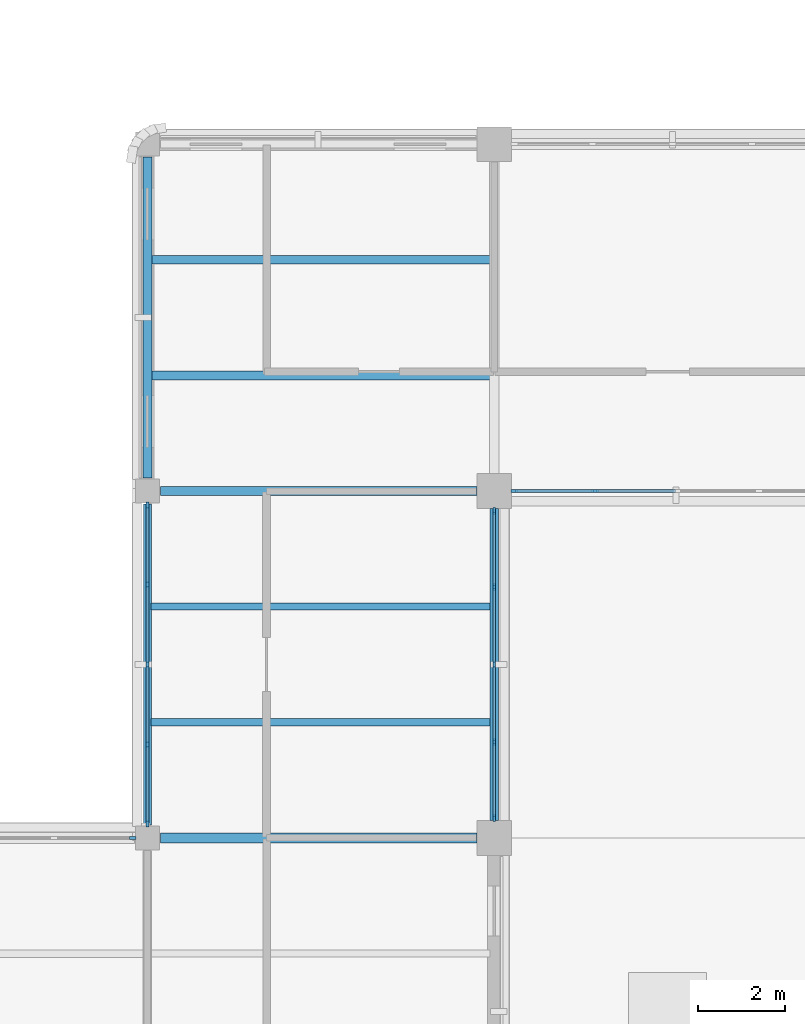
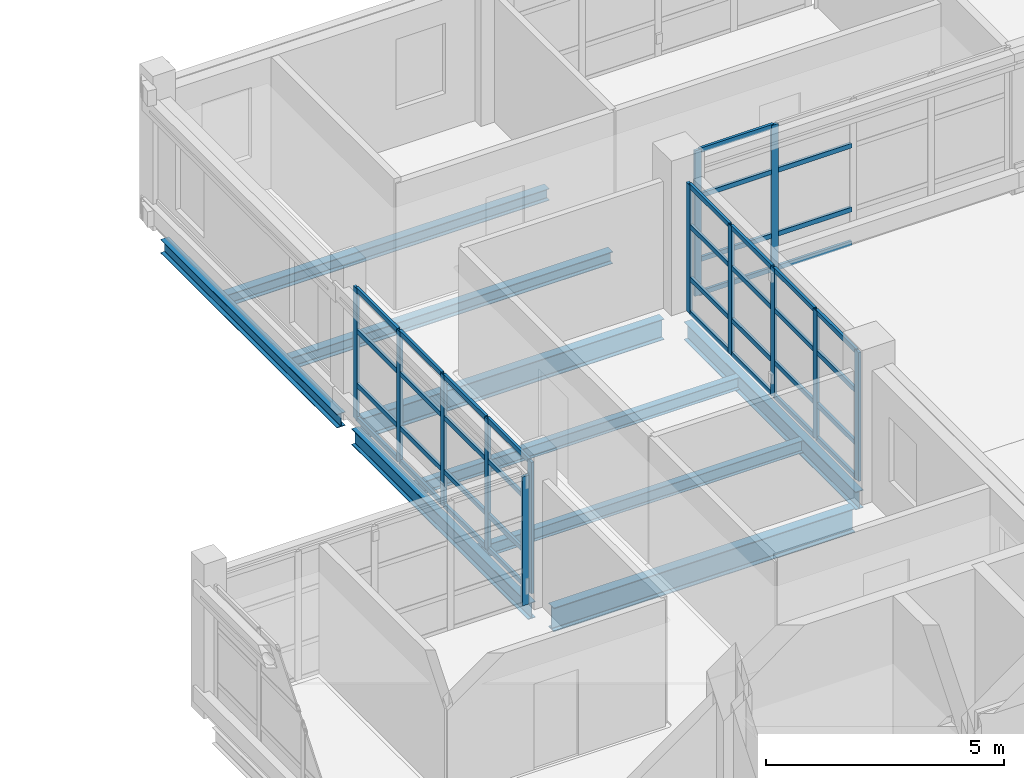
# One storey, part 34 of 107: 52 members, 9 beams, 4 elements without a shape of their own.
"""IFC4 building model written with IfcOpenShell, lengths in metres."""

from ifc_helpers import new_model, si_unit, derived_unit, direction, frame, origin, origin_2d, place, context, subcontext, project, spatial, rectangle, i_section, extrude, material, layer, layer_set, material_profile, profile_set, type_object, element, aggregate, save


model = new_model("IFC4")

# Units and contexts
model_context = context("Model", 3, precision=1e-05, world=origin(), true_north=direction((0.0, 1.0)))
body_context = subcontext(model_context, "Body", "Model", "MODEL_VIEW")
ifc_project = project(units=[si_unit("LENGTHUNIT", "METRE"), si_unit("AREAUNIT", "SQUARE_METRE"), si_unit("VOLUMEUNIT", "CUBIC_METRE"), si_unit("PLANEANGLEUNIT", "RADIAN"), si_unit("MASSUNIT", "GRAM", prefix="KILO"), derived_unit("THERMALTRANSMITTANCEUNIT", [(si_unit("MASSUNIT", "GRAM", prefix="KILO"), 1), (si_unit("TIMEUNIT", "SECOND"), -3), (si_unit("THERMODYNAMICTEMPERATUREUNIT", "KELVIN"), -1)])], contexts=[model_context])

# Site, building, storey
site_placement = place(None, origin())
site = spatial("IfcSite", under=ifc_project, at=site_placement, CompositionType="ELEMENT")
building_placement = place(site_placement, origin())
building = spatial("IfcBuilding", under=site, at=building_placement, Name="Veyamyaing Civic Hall", CompositionType="ELEMENT")
storey_placement = place(building_placement, frame((0.0, 0.0, 13.860107421875)))
storey = spatial("IfcBuildingStorey", under=building, at=storey_placement, Name="L03", CompositionType="ELEMENT", Elevation=13.860107421875)

# Beams
ifc_material_1 = material(Name="Steel ASTM A992", Category="steel")
ifc_material_profile_1 = material_profile(ifc_material_1, i_section(OverallWidth=0.22802734375, OverallDepth=0.60791015625, WebThickness=0.01123046875, FlangeThickness=0.017333984375, FilletRadius=0.012939453125, at=origin_2d()), Name="W610X113")
ifc_profile_set_1 = profile_set([ifc_material_profile_1], Name="Steel ASTM A992")
beam_type_1 = type_object("IfcBeamType", Name="B-06", PredefinedType="BEAM", material=ifc_profile_set_1)
beam_1_placement = place(storey_placement, frame((64.300048828125, 64.0, -0.55908203125), z_axis=(1.0, 0.0, 0.0), x_axis=(0.0, 1.0, 0.0)))
element("IfcBeam", 1, at=beam_1_placement, inside=storey, type_object=beam_type_1, Name="Girder B-06 L03 Grid J 9-10", PredefinedType="BEAM", context=body_context, shape_type="SweptSolid", body=[
    extrude(i_section(OverallWidth=0.22802734375, OverallDepth=0.60791015625, WebThickness=0.01123046875, FlangeThickness=0.017333984375, FilletRadius=0.012939453125, at=origin_2d()), origin(), (0.0, 0.0, 1.0), 7.300048828125),
])
ifc_material_profile_2 = material_profile(ifc_material_1, i_section(OverallWidth=0.208984375, OverallDepth=0.532958984375, WebThickness=0.01025390625, FlangeThickness=0.015625, FilletRadius=0.011962890625, at=origin_2d()), Name="W530X92")
ifc_profile_set_2 = profile_set([ifc_material_profile_2], Name="Steel ASTM A992")
beam_type_2 = type_object("IfcBeamType", Name="B-07", PredefinedType="BEAM", material=ifc_profile_set_2)
beam_2_placement = place(storey_placement, frame((64.300048828125, 72.0, -0.521728515625), z_axis=(1.0, 0.0, 0.0), x_axis=(0.0, 1.0, 0.0)))
element("IfcBeam", 2, at=beam_2_placement, inside=storey, type_object=beam_type_2, Name="Girder B-07 L03 Grid K 9-10", PredefinedType="BEAM", context=body_context, shape_type="SweptSolid", body=[
    extrude(i_section(OverallWidth=0.208984375, OverallDepth=0.532958984375, WebThickness=0.01025390625, FlangeThickness=0.015625, FilletRadius=0.011962890625, at=origin_2d()), origin(), (0.0, 0.0, 1.0), 7.300048828125),
])
ifc_material_profile_3 = material_profile(ifc_material_1, i_section(OverallWidth=0.19189453125, OverallDepth=0.462890625, WebThickness=0.010498046875, FlangeThickness=0.017578125, FilletRadius=0.010009765625, at=origin_2d()), Name="W460X89")
ifc_profile_set_3 = profile_set([ifc_material_profile_3], Name="Steel ASTM A992")
beam_type_3 = type_object("IfcBeamType", Name="B-08", PredefinedType="BEAM", material=ifc_profile_set_3)
beam_3_placement = place(storey_placement, frame((72.0, 64.39990234375, -0.486572265625), z_axis=(0.0, 1.0, 0.0), x_axis=(-1.0, 0.0, 0.0)))
element("IfcBeam", 3, at=beam_3_placement, inside=storey, type_object=beam_type_3, Name="Girder B-08 L03 Grid 10 J-K", PredefinedType="BEAM", context=body_context, shape_type="SweptSolid", body=[
    extrude(i_section(OverallWidth=0.19189453125, OverallDepth=0.462890625, WebThickness=0.010498046875, FlangeThickness=0.017578125, FilletRadius=0.010009765625, at=origin_2d()), origin(), (0.0, 0.0, 1.0), 7.2001953125),
])
ifc_material_profile_4 = material_profile(ifc_material_1, i_section(OverallWidth=0.179931640625, OverallDepth=0.4130859375, WebThickness=0.009765625, FlangeThickness=0.01611328125, FilletRadius=0.010009765625, at=origin_2d()), Name="W410X74")
ifc_profile_set_4 = profile_set([ifc_material_profile_4], Name="Steel ASTM A992")
beam_type_4 = type_object("IfcBeamType", Name="B-10", PredefinedType="SPANDREL", material=ifc_profile_set_4)
beam_4_placement = place(storey_placement, frame((64.0, 64.300048828125, -0.461669921875), z_axis=(0.0, 1.0, 0.0), x_axis=(-1.0, 0.0, 0.0)))
element("IfcBeam", 4, at=beam_4_placement, inside=storey, type_object=beam_type_4, Name="Girder B-10 L03 Grid 9 J-K", PredefinedType="SPANDREL", context=body_context, shape_type="SweptSolid", body=[
    extrude(i_section(OverallWidth=0.179931640625, OverallDepth=0.4130859375, WebThickness=0.009765625, FlangeThickness=0.01611328125, FilletRadius=0.010009765625, at=origin_2d()), origin(), (0.0, 0.0, 1.0), 7.39990234375),
])
ifc_material_profile_5 = material_profile(ifc_material_1, i_section(OverallWidth=0.2041015625, OverallDepth=0.35009765625, WebThickness=0.0078125, FlangeThickness=0.01513671875, FilletRadius=0.010009765625, at=origin_2d()), Name="W360X72")
ifc_profile_set_5 = profile_set([ifc_material_profile_5], Name="Steel ASTM A992")
beam_type_5 = type_object("IfcBeamType", Name="B-11", PredefinedType="SPANDREL", material=ifc_profile_set_5)
beam_5_placement = place(storey_placement, frame((64.0, 72.300048828125, -0.43017578125), z_axis=(0.0, 1.0, 0.0), x_axis=(-1.0, 0.0, 0.0)))
element("IfcBeam", 5, at=beam_5_placement, inside=storey, type_object=beam_type_5, Name="Girder B-11 L03 Grid 9 K-L", PredefinedType="SPANDREL", context=body_context, shape_type="SweptSolid", body=[
    extrude(i_section(OverallWidth=0.2041015625, OverallDepth=0.35009765625, WebThickness=0.0078125, FlangeThickness=0.01513671875, FilletRadius=0.010009765625, at=origin_2d()), origin(), (0.0, 0.0, 1.0), 7.39990234375),
])

# Curtain wall, member
ifc_material_2 = material(Name="Anodised aluminium 6063-T6", Category="aluminium")
ifc_layer = layer(ifc_material_2, 0.159912109375, Name="Anodised aluminium 6063-T6")
ifc_layer_set = layer_set([ifc_layer], Name="Anodised aluminium 6063-T6")
curtain_wall_type = type_object("IfcCurtainWallType", Name="CW-07", PredefinedType="NOTDEFINED", material=ifc_layer_set)
curtain_wall_1_placement = place(storey_placement, origin())
curtain_wall_1 = element("IfcCurtainWall", 6, at=curtain_wall_1_placement, inside=storey, type_object=curtain_wall_type, Name="Unitized curtain wall CW-07 L03 N 8.8", PredefinedType="NOTDEFINED")
ifc_material_profile_6 = material_profile(ifc_material_2, rectangle(XDim=0.06494140625, YDim=0.159912109375, at=origin_2d()), Name="ALU-MUL-65X160")
ifc_profile_set_6 = profile_set([ifc_material_profile_6], Name="Anodised aluminium 6063-T6")
member_type_1 = type_object("IfcMemberType", Name="CWM-01", PredefinedType="MULLION", material=ifc_profile_set_6)
member_1_placement = place(storey_placement, frame((63.66259765625, 64.0, 0.0), z_axis=(0.0, 0.0, 1.0), x_axis=(0.0, 1.0, 0.0)))
member_1 = element("IfcMember", 7, at=member_1_placement, type_object=member_type_1, Name="CW-07 mullion 5", PredefinedType="MULLION", context=body_context, shape_type="SweptSolid", body=[
    extrude(rectangle(XDim=0.06494140625, YDim=0.159912109375, at=origin_2d()), origin(), (0.0, 0.0, 1.0), 3.303955078125),
])
aggregate(curtain_wall_1, [member_1])

# Curtain wall, members
curtain_wall_2_placement = place(storey_placement, origin())
curtain_wall_2 = element("IfcCurtainWall", 8, at=curtain_wall_2_placement, inside=storey, type_object=curtain_wall_type, Name="Unitized curtain wall CW-07 L03 W 9.9", PredefinedType="NOTDEFINED")
member_2_placement = place(storey_placement, frame((64.0, 64.33740234375, 0.0), z_axis=(0.0, 0.0, 1.0), x_axis=(-1.0, 0.0, 0.0)))
member_2 = element("IfcMember", 9, at=member_2_placement, type_object=member_type_1, Name="CW-07 mullion 1", PredefinedType="MULLION", context=body_context, shape_type="SweptSolid", body=[
    extrude(rectangle(XDim=0.06494140625, YDim=0.159912109375, at=origin_2d()), origin(), (0.0, 0.0, 1.0), 3.366943359375),
])
member_3_placement = place(storey_placement, frame((64.0, 66.152587890625, 0.0), z_axis=(0.0, 0.0, 1.0), x_axis=(-1.0, 0.0, 0.0)))
member_3 = element("IfcMember", 10, at=member_3_placement, type_object=member_type_1, Name="CW-07 mullion 2", PredefinedType="MULLION", context=body_context, shape_type="SweptSolid", body=[
    extrude(rectangle(XDim=0.06494140625, YDim=0.159912109375, at=origin_2d()), origin(), (0.0, 0.0, 1.0), 3.366943359375),
])
member_4_placement = place(storey_placement, frame((64.0, 68.0, 0.0), z_axis=(0.0, 0.0, 1.0), x_axis=(-1.0, 0.0, 0.0)))
member_4 = element("IfcMember", 11, at=member_4_placement, type_object=member_type_1, Name="CW-07 mullion 3", PredefinedType="MULLION", context=body_context, shape_type="SweptSolid", body=[
    extrude(rectangle(XDim=0.06494140625, YDim=0.159912109375, at=origin_2d()), origin(), (0.0, 0.0, 1.0), 3.366943359375),
])
member_5_placement = place(storey_placement, frame((64.0, 69.847412109375, 0.0), z_axis=(0.0, 0.0, 1.0), x_axis=(-1.0, 0.0, 0.0)))
member_5 = element("IfcMember", 12, at=member_5_placement, type_object=member_type_1, Name="CW-07 mullion 4", PredefinedType="MULLION", context=body_context, shape_type="SweptSolid", body=[
    extrude(rectangle(XDim=0.06494140625, YDim=0.159912109375, at=origin_2d()), origin(), (0.0, 0.0, 1.0), 3.366943359375),
])
member_6_placement = place(storey_placement, frame((64.0, 71.66259765625, 0.0), z_axis=(0.0, 0.0, 1.0), x_axis=(-1.0, 0.0, 0.0)))
member_6 = element("IfcMember", 13, at=member_6_placement, type_object=member_type_1, Name="CW-07 mullion 5", PredefinedType="MULLION", context=body_context, shape_type="SweptSolid", body=[
    extrude(rectangle(XDim=0.06494140625, YDim=0.159912109375, at=origin_2d()), origin(), (0.0, 0.0, 1.0), 3.366943359375),
])

curtain_wall_3_placement = place(storey_placement, origin())
curtain_wall_3 = element("IfcCurtainWall", 14, at=curtain_wall_3_placement, inside=storey, type_object=curtain_wall_type, Name="Unitized curtain wall CW-07 L03 E 9.9", PredefinedType="NOTDEFINED")
member_7_placement = place(storey_placement, frame((72.0, 64.46240234375, 0.0), z_axis=(0.0, 0.0, 1.0), x_axis=(-1.0, 0.0, 0.0)))
member_7 = element("IfcMember", 15, at=member_7_placement, type_object=member_type_1, Name="CW-07 mullion 1", PredefinedType="MULLION", context=body_context, shape_type="SweptSolid", body=[
    extrude(rectangle(XDim=0.06494140625, YDim=0.159912109375, at=origin_2d()), origin(), (0.0, 0.0, 1.0), 3.2998046875),
])
member_8_placement = place(storey_placement, frame((72.0, 66.215087890625, 0.0), z_axis=(0.0, 0.0, 1.0), x_axis=(-1.0, 0.0, 0.0)))
member_8 = element("IfcMember", 16, at=member_8_placement, type_object=member_type_1, Name="CW-07 mullion 2", PredefinedType="MULLION", context=body_context, shape_type="SweptSolid", body=[
    extrude(rectangle(XDim=0.06494140625, YDim=0.159912109375, at=origin_2d()), origin(), (0.0, 0.0, 1.0), 3.2998046875),
])
member_9_placement = place(storey_placement, frame((72.0, 68.0, 0.0), z_axis=(0.0, 0.0, 1.0), x_axis=(-1.0, 0.0, 0.0)))
member_9 = element("IfcMember", 17, at=member_9_placement, type_object=member_type_1, Name="CW-07 mullion 3", PredefinedType="MULLION", context=body_context, shape_type="SweptSolid", body=[
    extrude(rectangle(XDim=0.06494140625, YDim=0.159912109375, at=origin_2d()), origin(), (0.0, 0.0, 1.0), 3.2998046875),
])
member_10_placement = place(storey_placement, frame((72.0, 69.784912109375, 0.0), z_axis=(0.0, 0.0, 1.0), x_axis=(-1.0, 0.0, 0.0)))
member_10 = element("IfcMember", 18, at=member_10_placement, type_object=member_type_1, Name="CW-07 mullion 4", PredefinedType="MULLION", context=body_context, shape_type="SweptSolid", body=[
    extrude(rectangle(XDim=0.06494140625, YDim=0.159912109375, at=origin_2d()), origin(), (0.0, 0.0, 1.0), 3.2998046875),
])
member_11_placement = place(storey_placement, frame((72.0, 71.53759765625, 0.0), z_axis=(0.0, 0.0, 1.0), x_axis=(-1.0, 0.0, 0.0)))
member_11 = element("IfcMember", 19, at=member_11_placement, type_object=member_type_1, Name="CW-07 mullion 5", PredefinedType="MULLION", context=body_context, shape_type="SweptSolid", body=[
    extrude(rectangle(XDim=0.06494140625, YDim=0.159912109375, at=origin_2d()), origin(), (0.0, 0.0, 1.0), 3.2998046875),
])

curtain_wall_4_placement = place(storey_placement, origin())
curtain_wall_4 = element("IfcCurtainWall", 20, at=curtain_wall_4_placement, inside=storey, type_object=curtain_wall_type, Name="Unitized curtain wall CW-07 L03 S 10.10", PredefinedType="NOTDEFINED")
member_12_placement = place(storey_placement, frame((72.46240234375, 72.0, 0.0), z_axis=(0.0, 0.0, 1.0), x_axis=(0.0, 1.0, 0.0)))
member_12 = element("IfcMember", 21, at=member_12_placement, type_object=member_type_1, Name="CW-07 mullion 1", PredefinedType="MULLION", context=body_context, shape_type="SweptSolid", body=[
    extrude(rectangle(XDim=0.06494140625, YDim=0.159912109375, at=origin_2d()), origin(), (0.0, 0.0, 1.0), 3.724853515625),
])
member_13_placement = place(storey_placement, frame((74.322509765625, 72.0, 0.0), z_axis=(0.0, 0.0, 1.0), x_axis=(0.0, 1.0, 0.0)))
member_13 = element("IfcMember", 22, at=member_13_placement, type_object=member_type_1, Name="CW-07 mullion 2", PredefinedType="MULLION", context=body_context, shape_type="SweptSolid", body=[
    extrude(rectangle(XDim=0.06494140625, YDim=0.159912109375, at=origin_2d()), origin(), (0.0, 0.0, 1.0), 3.724853515625),
])

# Member
ifc_material_profile_7 = material_profile(ifc_material_2, rectangle(XDim=0.06494140625, YDim=0.1201171875, at=origin_2d()), Name="ALU-TRN-65X120")
ifc_profile_set_7 = profile_set([ifc_material_profile_7], Name="Anodised aluminium 6063-T6")
member_type_2 = type_object("IfcMemberType", Name="CWT-01", PredefinedType="USERDEFINED", material=ifc_profile_set_7)
member_14_placement = place(storey_placement, frame((64.0, 64.3701171875, 0.032470703125), z_axis=(0.0, 1.0, 0.0), x_axis=(-1.0, 0.0, 0.0)))
member_14 = element("IfcMember", 23, at=member_14_placement, type_object=member_type_2, Name="CW-07 transom 1.1", ObjectType="TRANSOM", PredefinedType="USERDEFINED", context=body_context, shape_type="SweptSolid", body=[
    extrude(rectangle(XDim=0.06494140625, YDim=0.1201171875, at=origin_2d()), origin(), (0.0, 0.0, 1.0), 1.75),
])

member_15_placement = place(storey_placement, frame((64.0, 64.3701171875, 0.89990234375), z_axis=(0.0, 1.0, 0.0), x_axis=(-1.0, 0.0, 0.0)))
member_15 = element("IfcMember", 24, at=member_15_placement, type_object=member_type_2, Name="CW-07 transom 1.2", ObjectType="TRANSOM", PredefinedType="USERDEFINED", context=body_context, shape_type="SweptSolid", body=[
    extrude(rectangle(XDim=0.06494140625, YDim=0.1201171875, at=origin_2d()), origin(), (0.0, 0.0, 1.0), 1.75),
])

member_16_placement = place(storey_placement, frame((64.0, 64.3701171875, 2.28955078125), z_axis=(0.0, 1.0, 0.0), x_axis=(-1.0, 0.0, 0.0)))
member_16 = element("IfcMember", 25, at=member_16_placement, type_object=member_type_2, Name="CW-07 transom 1.3", ObjectType="TRANSOM", PredefinedType="USERDEFINED", context=body_context, shape_type="SweptSolid", body=[
    extrude(rectangle(XDim=0.06494140625, YDim=0.1201171875, at=origin_2d()), origin(), (0.0, 0.0, 1.0), 1.75),
])

member_17_placement = place(storey_placement, frame((64.0, 64.3701171875, 3.33447265625), z_axis=(0.0, 1.0, 0.0), x_axis=(-1.0, 0.0, 0.0)))
member_17 = element("IfcMember", 26, at=member_17_placement, type_object=member_type_2, Name="CW-07 transom 1.4", ObjectType="TRANSOM", PredefinedType="USERDEFINED", context=body_context, shape_type="SweptSolid", body=[
    extrude(rectangle(XDim=0.06494140625, YDim=0.1201171875, at=origin_2d()), origin(), (0.0, 0.0, 1.0), 1.75),
])

member_18_placement = place(storey_placement, frame((64.0, 66.18505859375, 0.032470703125), z_axis=(0.0, 1.0, 0.0), x_axis=(-1.0, 0.0, 0.0)))
member_18 = element("IfcMember", 27, at=member_18_placement, type_object=member_type_2, Name="CW-07 transom 2.1", ObjectType="TRANSOM", PredefinedType="USERDEFINED", context=body_context, shape_type="SweptSolid", body=[
    extrude(rectangle(XDim=0.06494140625, YDim=0.1201171875, at=origin_2d()), origin(), (0.0, 0.0, 1.0), 1.782470703125),
])

member_19_placement = place(storey_placement, frame((64.0, 66.18505859375, 0.89990234375), z_axis=(0.0, 1.0, 0.0), x_axis=(-1.0, 0.0, 0.0)))
member_19 = element("IfcMember", 28, at=member_19_placement, type_object=member_type_2, Name="CW-07 transom 2.2", ObjectType="TRANSOM", PredefinedType="USERDEFINED", context=body_context, shape_type="SweptSolid", body=[
    extrude(rectangle(XDim=0.06494140625, YDim=0.1201171875, at=origin_2d()), origin(), (0.0, 0.0, 1.0), 1.782470703125),
])

member_20_placement = place(storey_placement, frame((64.0, 66.18505859375, 2.28955078125), z_axis=(0.0, 1.0, 0.0), x_axis=(-1.0, 0.0, 0.0)))
member_20 = element("IfcMember", 29, at=member_20_placement, type_object=member_type_2, Name="CW-07 transom 2.3", ObjectType="TRANSOM", PredefinedType="USERDEFINED", context=body_context, shape_type="SweptSolid", body=[
    extrude(rectangle(XDim=0.06494140625, YDim=0.1201171875, at=origin_2d()), origin(), (0.0, 0.0, 1.0), 1.782470703125),
])

member_21_placement = place(storey_placement, frame((64.0, 66.18505859375, 3.33447265625), z_axis=(0.0, 1.0, 0.0), x_axis=(-1.0, 0.0, 0.0)))
member_21 = element("IfcMember", 30, at=member_21_placement, type_object=member_type_2, Name="CW-07 transom 2.4", ObjectType="TRANSOM", PredefinedType="USERDEFINED", context=body_context, shape_type="SweptSolid", body=[
    extrude(rectangle(XDim=0.06494140625, YDim=0.1201171875, at=origin_2d()), origin(), (0.0, 0.0, 1.0), 1.782470703125),
])

member_22_placement = place(storey_placement, frame((64.0, 68.032470703125, 0.032470703125), z_axis=(0.0, 1.0, 0.0), x_axis=(-1.0, 0.0, 0.0)))
member_22 = element("IfcMember", 31, at=member_22_placement, type_object=member_type_2, Name="CW-07 transom 3.1", ObjectType="TRANSOM", PredefinedType="USERDEFINED", context=body_context, shape_type="SweptSolid", body=[
    extrude(rectangle(XDim=0.06494140625, YDim=0.1201171875, at=origin_2d()), origin(), (0.0, 0.0, 1.0), 1.782470703125),
])

member_23_placement = place(storey_placement, frame((64.0, 68.032470703125, 0.89990234375), z_axis=(0.0, 1.0, 0.0), x_axis=(-1.0, 0.0, 0.0)))
member_23 = element("IfcMember", 32, at=member_23_placement, type_object=member_type_2, Name="CW-07 transom 3.2", ObjectType="TRANSOM", PredefinedType="USERDEFINED", context=body_context, shape_type="SweptSolid", body=[
    extrude(rectangle(XDim=0.06494140625, YDim=0.1201171875, at=origin_2d()), origin(), (0.0, 0.0, 1.0), 1.782470703125),
])

member_24_placement = place(storey_placement, frame((64.0, 68.032470703125, 2.28955078125), z_axis=(0.0, 1.0, 0.0), x_axis=(-1.0, 0.0, 0.0)))
member_24 = element("IfcMember", 33, at=member_24_placement, type_object=member_type_2, Name="CW-07 transom 3.3", ObjectType="TRANSOM", PredefinedType="USERDEFINED", context=body_context, shape_type="SweptSolid", body=[
    extrude(rectangle(XDim=0.06494140625, YDim=0.1201171875, at=origin_2d()), origin(), (0.0, 0.0, 1.0), 1.782470703125),
])

member_25_placement = place(storey_placement, frame((64.0, 68.032470703125, 3.33447265625), z_axis=(0.0, 1.0, 0.0), x_axis=(-1.0, 0.0, 0.0)))
member_25 = element("IfcMember", 34, at=member_25_placement, type_object=member_type_2, Name="CW-07 transom 3.4", ObjectType="TRANSOM", PredefinedType="USERDEFINED", context=body_context, shape_type="SweptSolid", body=[
    extrude(rectangle(XDim=0.06494140625, YDim=0.1201171875, at=origin_2d()), origin(), (0.0, 0.0, 1.0), 1.782470703125),
])

member_26_placement = place(storey_placement, frame((64.0, 69.8798828125, 0.032470703125), z_axis=(0.0, 1.0, 0.0), x_axis=(-1.0, 0.0, 0.0)))
member_26 = element("IfcMember", 35, at=member_26_placement, type_object=member_type_2, Name="CW-07 transom 4.1", ObjectType="TRANSOM", PredefinedType="USERDEFINED", context=body_context, shape_type="SweptSolid", body=[
    extrude(rectangle(XDim=0.06494140625, YDim=0.1201171875, at=origin_2d()), origin(), (0.0, 0.0, 1.0), 1.75),
])

member_27_placement = place(storey_placement, frame((64.0, 69.8798828125, 0.89990234375), z_axis=(0.0, 1.0, 0.0), x_axis=(-1.0, 0.0, 0.0)))
member_27 = element("IfcMember", 36, at=member_27_placement, type_object=member_type_2, Name="CW-07 transom 4.2", ObjectType="TRANSOM", PredefinedType="USERDEFINED", context=body_context, shape_type="SweptSolid", body=[
    extrude(rectangle(XDim=0.06494140625, YDim=0.1201171875, at=origin_2d()), origin(), (0.0, 0.0, 1.0), 1.75),
])

member_28_placement = place(storey_placement, frame((64.0, 69.8798828125, 2.28955078125), z_axis=(0.0, 1.0, 0.0), x_axis=(-1.0, 0.0, 0.0)))
member_28 = element("IfcMember", 37, at=member_28_placement, type_object=member_type_2, Name="CW-07 transom 4.3", ObjectType="TRANSOM", PredefinedType="USERDEFINED", context=body_context, shape_type="SweptSolid", body=[
    extrude(rectangle(XDim=0.06494140625, YDim=0.1201171875, at=origin_2d()), origin(), (0.0, 0.0, 1.0), 1.75),
])

member_29_placement = place(storey_placement, frame((64.0, 69.8798828125, 3.33447265625), z_axis=(0.0, 1.0, 0.0), x_axis=(-1.0, 0.0, 0.0)))
member_29 = element("IfcMember", 38, at=member_29_placement, type_object=member_type_2, Name="CW-07 transom 4.4", ObjectType="TRANSOM", PredefinedType="USERDEFINED", context=body_context, shape_type="SweptSolid", body=[
    extrude(rectangle(XDim=0.06494140625, YDim=0.1201171875, at=origin_2d()), origin(), (0.0, 0.0, 1.0), 1.75),
])

aggregate(curtain_wall_2, [member_2, member_3, member_4, member_5, member_6, member_14, member_15, member_16, member_17, member_18, member_19, member_20, member_21, member_22, member_23, member_24, member_25, member_26, member_27, member_28, member_29])

member_30_placement = place(storey_placement, frame((72.0, 64.4951171875, 0.032470703125), z_axis=(0.0, 1.0, 0.0), x_axis=(-1.0, 0.0, 0.0)))
member_30 = element("IfcMember", 39, at=member_30_placement, type_object=member_type_2, Name="CW-07 transom 1.1", ObjectType="TRANSOM", PredefinedType="USERDEFINED", context=body_context, shape_type="SweptSolid", body=[
    extrude(rectangle(XDim=0.06494140625, YDim=0.1201171875, at=origin_2d()), origin(), (0.0, 0.0, 1.0), 1.6875),
])

member_31_placement = place(storey_placement, frame((72.0, 64.4951171875, 0.89990234375), z_axis=(0.0, 1.0, 0.0), x_axis=(-1.0, 0.0, 0.0)))
member_31 = element("IfcMember", 40, at=member_31_placement, type_object=member_type_2, Name="CW-07 transom 1.2", ObjectType="TRANSOM", PredefinedType="USERDEFINED", context=body_context, shape_type="SweptSolid", body=[
    extrude(rectangle(XDim=0.06494140625, YDim=0.1201171875, at=origin_2d()), origin(), (0.0, 0.0, 1.0), 1.6875),
])

member_32_placement = place(storey_placement, frame((72.0, 64.4951171875, 2.243896484375), z_axis=(0.0, 1.0, 0.0), x_axis=(-1.0, 0.0, 0.0)))
member_32 = element("IfcMember", 41, at=member_32_placement, type_object=member_type_2, Name="CW-07 transom 1.3", ObjectType="TRANSOM", PredefinedType="USERDEFINED", context=body_context, shape_type="SweptSolid", body=[
    extrude(rectangle(XDim=0.06494140625, YDim=0.1201171875, at=origin_2d()), origin(), (0.0, 0.0, 1.0), 1.6875),
])

member_33_placement = place(storey_placement, frame((72.0, 64.4951171875, 3.267333984375), z_axis=(0.0, 1.0, 0.0), x_axis=(-1.0, 0.0, 0.0)))
member_33 = element("IfcMember", 42, at=member_33_placement, type_object=member_type_2, Name="CW-07 transom 1.4", ObjectType="TRANSOM", PredefinedType="USERDEFINED", context=body_context, shape_type="SweptSolid", body=[
    extrude(rectangle(XDim=0.06494140625, YDim=0.1201171875, at=origin_2d()), origin(), (0.0, 0.0, 1.0), 1.6875),
])

member_34_placement = place(storey_placement, frame((72.0, 66.24755859375, 0.032470703125), z_axis=(0.0, 1.0, 0.0), x_axis=(-1.0, 0.0, 0.0)))
member_34 = element("IfcMember", 43, at=member_34_placement, type_object=member_type_2, Name="CW-07 transom 2.1", ObjectType="TRANSOM", PredefinedType="USERDEFINED", context=body_context, shape_type="SweptSolid", body=[
    extrude(rectangle(XDim=0.06494140625, YDim=0.1201171875, at=origin_2d()), origin(), (0.0, 0.0, 1.0), 1.719970703125),
])

member_35_placement = place(storey_placement, frame((72.0, 66.24755859375, 0.89990234375), z_axis=(0.0, 1.0, 0.0), x_axis=(-1.0, 0.0, 0.0)))
member_35 = element("IfcMember", 44, at=member_35_placement, type_object=member_type_2, Name="CW-07 transom 2.2", ObjectType="TRANSOM", PredefinedType="USERDEFINED", context=body_context, shape_type="SweptSolid", body=[
    extrude(rectangle(XDim=0.06494140625, YDim=0.1201171875, at=origin_2d()), origin(), (0.0, 0.0, 1.0), 1.719970703125),
])

member_36_placement = place(storey_placement, frame((72.0, 66.24755859375, 2.243896484375), z_axis=(0.0, 1.0, 0.0), x_axis=(-1.0, 0.0, 0.0)))
member_36 = element("IfcMember", 45, at=member_36_placement, type_object=member_type_2, Name="CW-07 transom 2.3", ObjectType="TRANSOM", PredefinedType="USERDEFINED", context=body_context, shape_type="SweptSolid", body=[
    extrude(rectangle(XDim=0.06494140625, YDim=0.1201171875, at=origin_2d()), origin(), (0.0, 0.0, 1.0), 1.719970703125),
])

member_37_placement = place(storey_placement, frame((72.0, 66.24755859375, 3.267333984375), z_axis=(0.0, 1.0, 0.0), x_axis=(-1.0, 0.0, 0.0)))
member_37 = element("IfcMember", 46, at=member_37_placement, type_object=member_type_2, Name="CW-07 transom 2.4", ObjectType="TRANSOM", PredefinedType="USERDEFINED", context=body_context, shape_type="SweptSolid", body=[
    extrude(rectangle(XDim=0.06494140625, YDim=0.1201171875, at=origin_2d()), origin(), (0.0, 0.0, 1.0), 1.719970703125),
])

member_38_placement = place(storey_placement, frame((72.0, 68.032470703125, 0.032470703125), z_axis=(0.0, 1.0, 0.0), x_axis=(-1.0, 0.0, 0.0)))
member_38 = element("IfcMember", 47, at=member_38_placement, type_object=member_type_2, Name="CW-07 transom 3.1", ObjectType="TRANSOM", PredefinedType="USERDEFINED", context=body_context, shape_type="SweptSolid", body=[
    extrude(rectangle(XDim=0.06494140625, YDim=0.1201171875, at=origin_2d()), origin(), (0.0, 0.0, 1.0), 1.719970703125),
])

member_39_placement = place(storey_placement, frame((72.0, 68.032470703125, 0.89990234375), z_axis=(0.0, 1.0, 0.0), x_axis=(-1.0, 0.0, 0.0)))
member_39 = element("IfcMember", 48, at=member_39_placement, type_object=member_type_2, Name="CW-07 transom 3.2", ObjectType="TRANSOM", PredefinedType="USERDEFINED", context=body_context, shape_type="SweptSolid", body=[
    extrude(rectangle(XDim=0.06494140625, YDim=0.1201171875, at=origin_2d()), origin(), (0.0, 0.0, 1.0), 1.719970703125),
])

member_40_placement = place(storey_placement, frame((72.0, 68.032470703125, 2.243896484375), z_axis=(0.0, 1.0, 0.0), x_axis=(-1.0, 0.0, 0.0)))
member_40 = element("IfcMember", 49, at=member_40_placement, type_object=member_type_2, Name="CW-07 transom 3.3", ObjectType="TRANSOM", PredefinedType="USERDEFINED", context=body_context, shape_type="SweptSolid", body=[
    extrude(rectangle(XDim=0.06494140625, YDim=0.1201171875, at=origin_2d()), origin(), (0.0, 0.0, 1.0), 1.719970703125),
])

member_41_placement = place(storey_placement, frame((72.0, 68.032470703125, 3.267333984375), z_axis=(0.0, 1.0, 0.0), x_axis=(-1.0, 0.0, 0.0)))
member_41 = element("IfcMember", 50, at=member_41_placement, type_object=member_type_2, Name="CW-07 transom 3.4", ObjectType="TRANSOM", PredefinedType="USERDEFINED", context=body_context, shape_type="SweptSolid", body=[
    extrude(rectangle(XDim=0.06494140625, YDim=0.1201171875, at=origin_2d()), origin(), (0.0, 0.0, 1.0), 1.719970703125),
])

member_42_placement = place(storey_placement, frame((72.0, 69.8173828125, 0.032470703125), z_axis=(0.0, 1.0, 0.0), x_axis=(-1.0, 0.0, 0.0)))
member_42 = element("IfcMember", 51, at=member_42_placement, type_object=member_type_2, Name="CW-07 transom 4.1", ObjectType="TRANSOM", PredefinedType="USERDEFINED", context=body_context, shape_type="SweptSolid", body=[
    extrude(rectangle(XDim=0.06494140625, YDim=0.1201171875, at=origin_2d()), origin(), (0.0, 0.0, 1.0), 1.6875),
])

member_43_placement = place(storey_placement, frame((72.0, 69.8173828125, 0.89990234375), z_axis=(0.0, 1.0, 0.0), x_axis=(-1.0, 0.0, 0.0)))
member_43 = element("IfcMember", 52, at=member_43_placement, type_object=member_type_2, Name="CW-07 transom 4.2", ObjectType="TRANSOM", PredefinedType="USERDEFINED", context=body_context, shape_type="SweptSolid", body=[
    extrude(rectangle(XDim=0.06494140625, YDim=0.1201171875, at=origin_2d()), origin(), (0.0, 0.0, 1.0), 1.6875),
])

member_44_placement = place(storey_placement, frame((72.0, 69.8173828125, 2.243896484375), z_axis=(0.0, 1.0, 0.0), x_axis=(-1.0, 0.0, 0.0)))
member_44 = element("IfcMember", 53, at=member_44_placement, type_object=member_type_2, Name="CW-07 transom 4.3", ObjectType="TRANSOM", PredefinedType="USERDEFINED", context=body_context, shape_type="SweptSolid", body=[
    extrude(rectangle(XDim=0.06494140625, YDim=0.1201171875, at=origin_2d()), origin(), (0.0, 0.0, 1.0), 1.6875),
])

member_45_placement = place(storey_placement, frame((72.0, 69.8173828125, 3.267333984375), z_axis=(0.0, 1.0, 0.0), x_axis=(-1.0, 0.0, 0.0)))
member_45 = element("IfcMember", 54, at=member_45_placement, type_object=member_type_2, Name="CW-07 transom 4.4", ObjectType="TRANSOM", PredefinedType="USERDEFINED", context=body_context, shape_type="SweptSolid", body=[
    extrude(rectangle(XDim=0.06494140625, YDim=0.1201171875, at=origin_2d()), origin(), (0.0, 0.0, 1.0), 1.6875),
])

aggregate(curtain_wall_3, [member_7, member_8, member_9, member_10, member_11, member_30, member_31, member_32, member_33, member_34, member_35, member_36, member_37, member_38, member_39, member_40, member_41, member_42, member_43, member_44, member_45])

member_46_placement = place(storey_placement, frame((72.4951171875, 72.0, 0.032470703125), z_axis=(1.0, 0.0, 0.0), x_axis=(0.0, 1.0, 0.0)))
member_46 = element("IfcMember", 55, at=member_46_placement, type_object=member_type_2, Name="CW-07 transom 1.1", ObjectType="TRANSOM", PredefinedType="USERDEFINED", context=body_context, shape_type="SweptSolid", body=[
    extrude(rectangle(XDim=0.06494140625, YDim=0.1201171875, at=origin_2d()), origin(), (0.0, 0.0, 1.0), 1.794921875),
])

member_47_placement = place(storey_placement, frame((72.4951171875, 72.0, 0.89990234375), z_axis=(1.0, 0.0, 0.0), x_axis=(0.0, 1.0, 0.0)))
member_47 = element("IfcMember", 56, at=member_47_placement, type_object=member_type_2, Name="CW-07 transom 1.2", ObjectType="TRANSOM", PredefinedType="USERDEFINED", context=body_context, shape_type="SweptSolid", body=[
    extrude(rectangle(XDim=0.06494140625, YDim=0.1201171875, at=origin_2d()), origin(), (0.0, 0.0, 1.0), 1.794921875),
])

member_48_placement = place(storey_placement, frame((72.4951171875, 72.0, 2.532958984375), z_axis=(1.0, 0.0, 0.0), x_axis=(0.0, 1.0, 0.0)))
member_48 = element("IfcMember", 57, at=member_48_placement, type_object=member_type_2, Name="CW-07 transom 1.3", ObjectType="TRANSOM", PredefinedType="USERDEFINED", context=body_context, shape_type="SweptSolid", body=[
    extrude(rectangle(XDim=0.06494140625, YDim=0.1201171875, at=origin_2d()), origin(), (0.0, 0.0, 1.0), 1.794921875),
])

member_49_placement = place(storey_placement, frame((72.4951171875, 72.0, 3.6923828125), z_axis=(1.0, 0.0, 0.0), x_axis=(0.0, 1.0, 0.0)))
member_49 = element("IfcMember", 58, at=member_49_placement, type_object=member_type_2, Name="CW-07 transom 1.4", ObjectType="TRANSOM", PredefinedType="USERDEFINED", context=body_context, shape_type="SweptSolid", body=[
    extrude(rectangle(XDim=0.06494140625, YDim=0.1201171875, at=origin_2d()), origin(), (0.0, 0.0, 1.0), 1.794921875),
])

member_50_placement = place(storey_placement, frame((74.35498046875, 72.0, 0.032470703125), z_axis=(1.0, 0.0, 0.0), x_axis=(0.0, 1.0, 0.0)))
member_50 = element("IfcMember", 59, at=member_50_placement, type_object=member_type_2, Name="CW-07 transom 2.1", ObjectType="TRANSOM", PredefinedType="USERDEFINED", context=body_context, shape_type="SweptSolid", body=[
    extrude(rectangle(XDim=0.06494140625, YDim=0.1201171875, at=origin_2d()), origin(), (0.0, 0.0, 1.0), 1.82763671875),
])

member_51_placement = place(storey_placement, frame((74.35498046875, 72.0, 0.89990234375), z_axis=(1.0, 0.0, 0.0), x_axis=(0.0, 1.0, 0.0)))
member_51 = element("IfcMember", 60, at=member_51_placement, type_object=member_type_2, Name="CW-07 transom 2.2", ObjectType="TRANSOM", PredefinedType="USERDEFINED", context=body_context, shape_type="SweptSolid", body=[
    extrude(rectangle(XDim=0.06494140625, YDim=0.1201171875, at=origin_2d()), origin(), (0.0, 0.0, 1.0), 1.82763671875),
])

member_52_placement = place(storey_placement, frame((74.35498046875, 72.0, 2.532958984375), z_axis=(1.0, 0.0, 0.0), x_axis=(0.0, 1.0, 0.0)))
member_52 = element("IfcMember", 61, at=member_52_placement, type_object=member_type_2, Name="CW-07 transom 2.3", ObjectType="TRANSOM", PredefinedType="USERDEFINED", context=body_context, shape_type="SweptSolid", body=[
    extrude(rectangle(XDim=0.06494140625, YDim=0.1201171875, at=origin_2d()), origin(), (0.0, 0.0, 1.0), 1.82763671875),
])

aggregate(curtain_wall_4, [member_12, member_13, member_46, member_47, member_48, member_49, member_50, member_51, member_52])

# Beams
ifc_material_profile_8 = material_profile(ifc_material_1, i_section(OverallWidth=0.1650390625, OverallDepth=0.31005859375, WebThickness=0.005859375, FlangeThickness=0.009765625, FilletRadius=0.010009765625, at=origin_2d()), Name="W310X39")
ifc_profile_set_8 = profile_set([ifc_material_profile_8], Name="Steel ASTM A992")
beam_type_6 = type_object("IfcBeamType", Name="J-05", PredefinedType="JOIST", material=ifc_profile_set_8)
for number, where, z_axis, x_axis, name in (
    (62, (64.087890625, 66.666748046875, -0.41015625), (1.0, 0.0, 0.0), (0.0, 1.0, 0.0), "Composite floor joist J-05 L03 9.9.1"),
    (63, (64.087890625, 69.333251953125, -0.41015625), (1.0, 0.0, 0.0), (0.0, 1.0, 0.0), "Composite floor joist J-05 L03 9.9.2"),
):
    element("IfcBeam", number, at=place(storey_placement, frame(where, z_axis=z_axis, x_axis=x_axis)), inside=storey, type_object=beam_type_6, Name=name, PredefinedType="JOIST", context=body_context, shape_type="SweptSolid", body=[
        extrude(i_section(OverallWidth=0.1650390625, OverallDepth=0.31005859375, WebThickness=0.005859375, FlangeThickness=0.009765625, FilletRadius=0.010009765625, at=origin_2d()), origin(), (0.0, 0.0, 1.0), 7.818115234375),
    ])
ifc_material_profile_9 = material_profile(ifc_material_1, i_section(OverallWidth=0.2041015625, OverallDepth=0.305908203125, WebThickness=0.008544921875, FlangeThickness=0.0146484375, FilletRadius=0.010009765625, at=origin_2d()), Name="W310X67")
ifc_profile_set_9 = profile_set([ifc_material_profile_9], Name="Steel ASTM A992")
beam_type_7 = type_object("IfcBeamType", Name="J-06", PredefinedType="JOIST", material=ifc_profile_set_9)
for number, where, z_axis, x_axis, name in (
    (64, (64.10009765625, 74.666748046875, -0.408203125), (1.0, 0.0, 0.0), (0.0, 1.0, 0.0), "Composite floor joist J-06 L03 9.10.1"),
    (65, (64.10009765625, 77.333251953125, -0.408203125), (1.0, 0.0, 0.0), (0.0, 1.0, 0.0), "Composite floor joist J-06 L03 9.10.2"),
):
    element("IfcBeam", number, at=place(storey_placement, frame(where, z_axis=z_axis, x_axis=x_axis)), inside=storey, type_object=beam_type_7, Name=name, PredefinedType="JOIST", context=body_context, shape_type="SweptSolid", body=[
        extrude(i_section(OverallWidth=0.2041015625, OverallDepth=0.305908203125, WebThickness=0.008544921875, FlangeThickness=0.0146484375, FilletRadius=0.010009765625, at=origin_2d()), origin(), (0.0, 0.0, 1.0), 7.79638671875),
    ])

save(model, "model.ifc")
